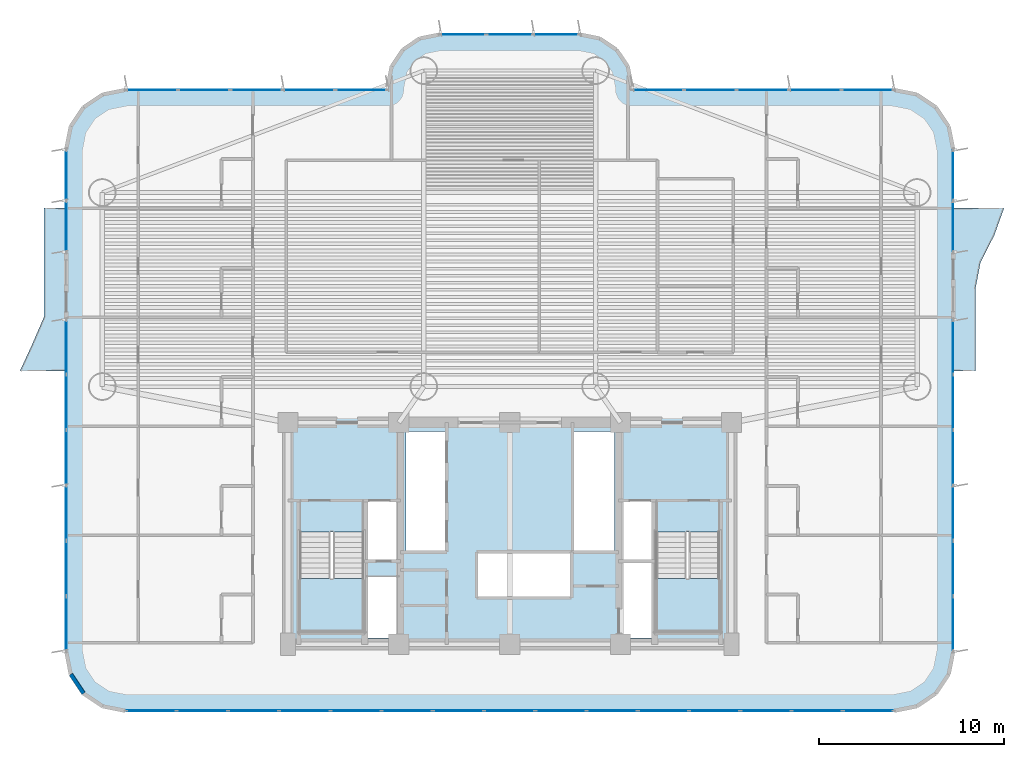
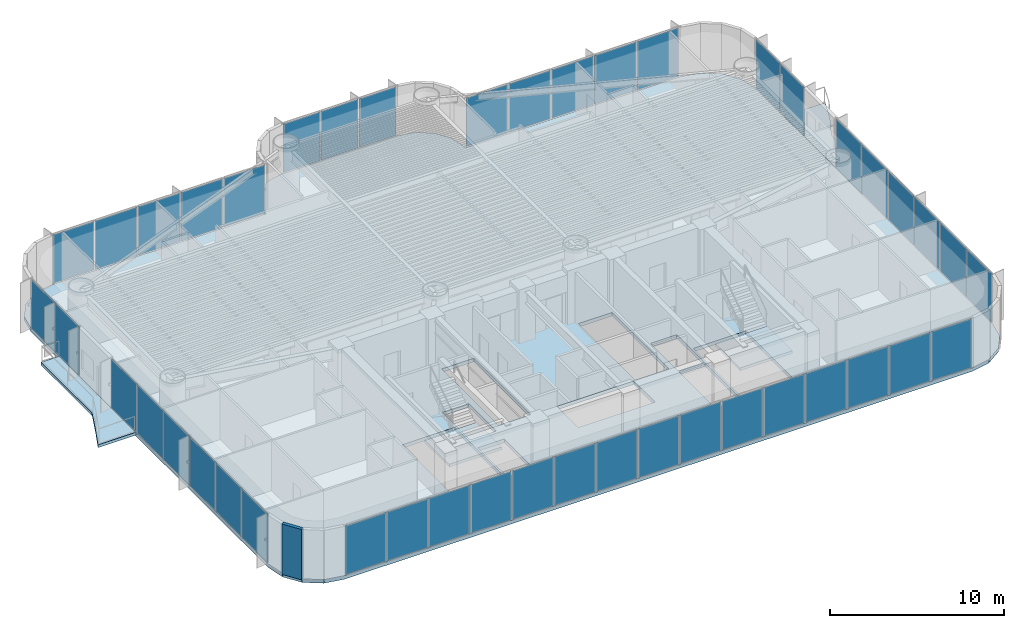
# One storey, part 9 of 18: 44 plates, 5 slabs, 1 wall, 10 elements without a shape of their own.
"""IFC4 building model written with IfcOpenShell, lengths in metres."""

from ifc_helpers import new_model, si_unit, direction, frame, frame_2d, origin, origin_2d, place, context, subcontext, project, spatial, polyline, rectangle, outline, extrude, source, transform, mapped, material, layer, layer_set, type_object, element, aggregate, save


model = new_model("IFC4")

# Units and contexts
model_context = context("Model", 3, precision=1e-05, world=origin(), true_north=direction((0.0, 1.0)))
body_context = subcontext(model_context, "Body", "Model", "MODEL_VIEW")
ifc_project = project(units=[si_unit("LENGTHUNIT", "METRE"), si_unit("AREAUNIT", "SQUARE_METRE"), si_unit("VOLUMEUNIT", "CUBIC_METRE"), si_unit("PLANEANGLEUNIT", "RADIAN"), si_unit("MASSUNIT", "GRAM", prefix="KILO")], contexts=[model_context])

# Site, building, storey
site_placement = place(None, origin())
site = spatial("IfcSite", under=ifc_project, at=site_placement, CompositionType="ELEMENT")
building_placement = place(site_placement, origin())
building = spatial("IfcBuilding", under=site, at=building_placement, Name="Brelvock Crest Care Tower", CompositionType="ELEMENT")
storey_placement = place(building_placement, frame((0.0, 0.0, 42.1201171875)))
storey = spatial("IfcBuildingStorey", under=building, at=storey_placement, Name="L10", CompositionType="ELEMENT", Elevation=42.1201171875)

# Slabs
ifc_material_1 = material(Name="Concrete N50 (50 MPa)", Category="concrete")
ifc_layer_1 = layer(ifc_material_1, 0.25, Name="SLB-FL3")
ifc_layer_set_1 = layer_set([ifc_layer_1], Name="Concrete N50 (50 MPa)")
slab_type_1 = type_object("IfcSlabType", Name="SLB-FL3", PredefinedType="FLOOR", material=ifc_layer_set_1)
slab_1_placement = place(storey_placement, frame((0.0, 0.0, -0.25)))
element("IfcSlab", 1, at=slab_1_placement, inside=storey, type_object=slab_type_1, Name="L10 Main Structural Slab", PredefinedType="FLOOR", context=body_context, shape_type="SweptSolid", body=[
    extrude(outline(polyline([(56.800048828125, 36.0), (42.60009765625, 36.0), (42.60009765625, 36.199951171875), (42.386962890625, 37.271484375), (41.77978515625, 38.179931640625), (40.87158203125, 38.786865234375), (39.800048828125, 39.0), (32.199951171875, 39.0), (31.12841796875, 38.786865234375), (30.22021484375, 38.179931640625), (29.613037109375, 37.271484375), (29.39990234375, 36.199951171875), (29.39990234375, 36.0), (15.199951171875, 36.0), (13.975341796875, 35.75634765625), (12.937255859375, 35.062744140625), (12.24365234375, 34.024658203125), (12.0, 32.800048828125), (12.0, 5.60009765625), (12.24365234375, 4.37548828125), (12.937255859375, 3.33740234375), (13.975341796875, 2.6435546875), (15.199951171875, 2.39990234375), (56.800048828125, 2.39990234375), (58.024658203125, 2.6435546875), (59.062744140625, 3.33740234375), (59.75634765625, 4.37548828125), (60.0, 5.60009765625), (60.0, 32.800048828125), (59.75634765625, 34.024658203125), (59.062744140625, 35.062744140625), (58.024658203125, 35.75634765625), (56.800048828125, 36.0)]), holes=[polyline([(28.239990234375, 10.580078125), (29.97998046875, 10.580078125), (29.97998046875, 13.739990234375), (28.239990234375, 13.739990234375), (28.239990234375, 10.580078125)]), polyline([(42.02001953125, 10.580078125), (43.760009765625, 10.580078125), (43.760009765625, 13.739990234375), (42.02001953125, 13.739990234375), (42.02001953125, 10.580078125)]), polyline([(28.239990234375, 6.340087890625), (29.97998046875, 6.340087890625), (29.97998046875, 9.64990234375), (28.239990234375, 9.64990234375), (28.239990234375, 6.340087890625)]), polyline([(24.6298828125, 12.080078125), (24.6298828125, 6.699951171875), (28.110107421875, 6.699951171875), (28.110107421875, 12.080078125), (24.6298828125, 12.080078125)]), polyline([(43.889892578125, 12.080078125), (43.889892578125, 6.699951171875), (47.3701171875, 6.699951171875), (47.3701171875, 12.080078125), (43.889892578125, 12.080078125)]), polyline([(42.02001953125, 6.340087890625), (43.760009765625, 6.340087890625), (43.760009765625, 10.5), (42.02001953125, 10.5), (42.02001953125, 6.340087890625)]), polyline([(30.3798828125, 11.030029296875), (32.52001953125, 11.030029296875), (32.52001953125, 17.52001953125), (30.3798828125, 17.52001953125), (30.3798828125, 11.030029296875)]), polyline([(34.22998046875, 8.530029296875), (39.320068359375, 8.530029296875), (39.320068359375, 10.969970703125), (34.22998046875, 10.969970703125), (34.22998046875, 8.530029296875)]), polyline([(39.429931640625, 11.030029296875), (41.669921875, 11.030029296875), (41.669921875, 17.52001953125), (39.429931640625, 17.52001953125), (39.429931640625, 11.030029296875)])]), origin(), (0.0, 0.0, 1.0), 0.25),
])
ifc_layer_2 = layer(ifc_material_1, 0.199951171875, Name="SLB-WB2")
ifc_layer_set_2 = layer_set([ifc_layer_2], Name="Concrete N50 (50 MPa)")
slab_type_2 = type_object("IfcSlabType", Name="SLB-WB2", PredefinedType="FLOOR", material=ifc_layer_set_2)
slab_2_placement = place(storey_placement, frame((0.0, 0.0, -0.2001953125)))
element("IfcSlab", 2, at=slab_2_placement, inside=storey, type_object=slab_type_2, Name="L10 W Sinusoidal Wave Balcony Slab", PredefinedType="FLOOR", context=body_context, shape_type="SweptSolid", body=[
    extrude(outline(polyline([(12.0, 29.60009765625), (10.800048828125, 29.60009765625), (10.800048828125, 28.13330078125), (10.800048828125, 26.666748046875), (10.800048828125, 25.199951171875), (10.800048828125, 23.7333984375), (10.169189453125, 22.2666015625), (9.495361328125, 20.800048828125), (12.0, 20.800048828125), (12.0, 29.60009765625)])), origin(), (0.0, 0.0, 1.0), 0.2001953125),
])
slab_3_placement = place(storey_placement, frame((0.0, 0.0, -0.2001953125)))
element("IfcSlab", 3, at=slab_3_placement, inside=storey, type_object=slab_type_2, Name="L10 E Sinusoidal Wave Balcony Slab", PredefinedType="FLOOR", context=body_context, shape_type="SweptSolid", body=[
    extrude(outline(polyline([(60.0, 20.800048828125), (61.199951171875, 20.800048828125), (61.199951171875, 22.2666015625), (61.199951171875, 23.7333984375), (61.199951171875, 25.199951171875), (61.479248046875, 26.666748046875), (62.22509765625, 28.13330078125), (62.7529296875, 29.60009765625), (60.0, 29.60009765625), (60.0, 20.800048828125)])), origin(), (0.0, 0.0, 1.0), 0.2001953125),
])

# Stair, slab
ifc_material_2 = material(Name="Concrete N40 (40 MPa)", Category="concrete")
stair_type = type_object("IfcStairType", Name="ST-CORE1", PredefinedType="HALF_TURN_STAIR", material=ifc_material_2)
stair_1_placement = place(storey_placement, origin())
stair_1 = element("IfcStair", 4, at=stair_1_placement, inside=storey, type_object=stair_type, Name="L10 Fire-Isolated Core Stair ST-1", PredefinedType="HALF_TURN_STAIR")
ifc_layer_3 = layer(ifc_material_2, 0.199951171875, Name="STL-1")
ifc_layer_set_3 = layer_set([ifc_layer_3], Name="Concrete N40 (40 MPa)")
slab_type_3 = type_object("IfcSlabType", Name="STL-1", PredefinedType="LANDING", material=ifc_layer_set_3)
slab_4_placement = place(storey_placement, frame((0.0, 0.0, 1.68994140625)))
slab_4 = element("IfcSlab", 5, at=slab_4_placement, type_object=slab_type_3, Name="ST-1 landing 1", PredefinedType="LANDING", context=body_context, shape_type="SweptSolid", body=[
    extrude(outline(polyline([(24.6298828125, 9.56005859375), (24.6298828125, 6.699951171875), (28.110107421875, 6.699951171875), (28.110107421875, 9.56005859375), (24.6298828125, 9.56005859375)])), origin(), (0.0, 0.0, 1.0), 0.199951171875),
])
aggregate(stair_1, [slab_4])

stair_2_placement = place(storey_placement, origin())
stair_2 = element("IfcStair", 6, at=stair_2_placement, inside=storey, type_object=stair_type, Name="L10 Fire-Isolated Core Stair ST-2", PredefinedType="HALF_TURN_STAIR")
slab_5_placement = place(storey_placement, frame((0.0, 0.0, 1.68994140625)))
slab_5 = element("IfcSlab", 7, at=slab_5_placement, type_object=slab_type_3, Name="ST-2 landing 1", PredefinedType="LANDING", context=body_context, shape_type="SweptSolid", body=[
    extrude(outline(polyline([(43.889892578125, 9.56005859375), (43.889892578125, 6.699951171875), (47.3701171875, 6.699951171875), (47.3701171875, 9.56005859375), (43.889892578125, 9.56005859375)])), origin(), (0.0, 0.0, 1.0), 0.199951171875),
])
aggregate(stair_2, [slab_5])

# Curtain wall, plates
ifc_material_3 = material(Name="Dark Glass Double Glazed Low-E", Category="glass")
ifc_layer_4 = layer(ifc_material_3, 0.195068359375, Name="CWS-2")
ifc_layer_set_4 = layer_set([ifc_layer_4], Name="Dark Glass Double Glazed Low-E")
curtain_wall_type = type_object("IfcCurtainWallType", Name="CWS-2", PredefinedType="NOTDEFINED", material=ifc_layer_set_4)
curtain_wall_1_placement = place(storey_placement, origin())
curtain_wall_1 = element("IfcCurtainWall", 8, at=curtain_wall_1_placement, inside=storey, type_object=curtain_wall_type, Name="L10 Curtain Wall E08", PredefinedType="NOTDEFINED")
ifc_layer_5 = layer(ifc_material_3, 0.031982421875, Name="CWP-V1")
ifc_layer_set_5 = layer_set([ifc_layer_5], Name="Dark Glass Double Glazed Low-E")
plate_type = type_object("IfcPlateType", Name="CWP-V1", PredefinedType="CURTAIN_PANEL", material=ifc_layer_set_5)
shared_shape_1 = source(origin(), body_context, "Body", "SweptSolid", [
    extrude(rectangle(XDim=2.67578125, YDim=0.035888671875, at=origin_2d()), origin(), (0.0, 0.0, 1.0), 3.39990234375),
])
plate_1_placement = place(storey_placement, frame((55.39697265625, 2.39990234375, 0.06494140625), z_axis=(0.0, 0.0, 1.0), x_axis=(-1.0, 0.0, 0.0)))
plate_1 = element("IfcPlate", 9, at=plate_1_placement, type_object=plate_type, Name="CW-2 panel 1.1", PredefinedType="CURTAIN_PANEL", context=body_context, shape_type="MappedRepresentation", body=[
    mapped(shared_shape_1, transform((0.0, 0.0, 0.0), x_axis=(1.0, 0.0, 0.0), y_axis=(0.0, 1.0, 0.0), z_axis=(0.0, 0.0, 1.0), scale=1.0)),
])
plate_2_placement = place(storey_placement, frame((16.60302734375, 2.39990234375, 0.06494140625), z_axis=(0.0, 0.0, 1.0), x_axis=(-1.0, 0.0, 0.0)))
plate_2 = element("IfcPlate", 10, at=plate_2_placement, type_object=plate_type, Name="CW-2 panel 15.1", PredefinedType="CURTAIN_PANEL", context=body_context, shape_type="MappedRepresentation", body=[
    mapped(shared_shape_1, transform((0.0, 0.0, 0.0), x_axis=(1.0, 0.0, 0.0), y_axis=(0.0, 1.0, 0.0), z_axis=(0.0, 0.0, 1.0), scale=1.0)),
])
shared_shape_2 = source(origin(), body_context, "Body", "SweptSolid", [
    extrude(rectangle(XDim=2.708251953125, YDim=0.035888671875, at=origin_2d()), origin(), (0.0, 0.0, 1.0), 3.39990234375),
])
plate_3_placement = place(storey_placement, frame((52.639892578125, 2.39990234375, 0.06494140625), z_axis=(0.0, 0.0, 1.0), x_axis=(-1.0, 0.0, 0.0)))
plate_3 = element("IfcPlate", 11, at=plate_3_placement, type_object=plate_type, Name="CW-2 panel 2.1", PredefinedType="CURTAIN_PANEL", context=body_context, shape_type="MappedRepresentation", body=[
    mapped(shared_shape_2, transform((0.0, 0.0, 0.0), x_axis=(1.0, 0.0, 0.0), y_axis=(0.0, 1.0, 0.0), z_axis=(0.0, 0.0, 1.0), scale=1.0)),
])
plate_4_placement = place(storey_placement, frame((49.86669921875, 2.39990234375, 0.06494140625), z_axis=(0.0, 0.0, 1.0), x_axis=(-1.0, 0.0, 0.0)))
plate_4 = element("IfcPlate", 12, at=plate_4_placement, type_object=plate_type, Name="CW-2 panel 3.1", PredefinedType="CURTAIN_PANEL", context=body_context, shape_type="MappedRepresentation", body=[
    mapped(shared_shape_2, transform((0.0, 0.0, 0.0), x_axis=(1.0, 0.0, 0.0), y_axis=(0.0, 1.0, 0.0), z_axis=(0.0, 0.0, 1.0), scale=1.0)),
])
plate_5_placement = place(storey_placement, frame((47.09326171875, 2.39990234375, 0.06494140625), z_axis=(0.0, 0.0, 1.0), x_axis=(-1.0, 0.0, 0.0)))
plate_5 = element("IfcPlate", 13, at=plate_5_placement, type_object=plate_type, Name="CW-2 panel 4.1", PredefinedType="CURTAIN_PANEL", context=body_context, shape_type="MappedRepresentation", body=[
    mapped(shared_shape_2, transform((0.0, 0.0, 0.0), x_axis=(1.0, 0.0, 0.0), y_axis=(0.0, 1.0, 0.0), z_axis=(0.0, 0.0, 1.0), scale=1.0)),
])
plate_6_placement = place(storey_placement, frame((44.320068359375, 2.39990234375, 0.06494140625), z_axis=(0.0, 0.0, 1.0), x_axis=(-1.0, 0.0, 0.0)))
plate_6 = element("IfcPlate", 14, at=plate_6_placement, type_object=plate_type, Name="CW-2 panel 5.1", PredefinedType="CURTAIN_PANEL", context=body_context, shape_type="MappedRepresentation", body=[
    mapped(shared_shape_2, transform((0.0, 0.0, 0.0), x_axis=(1.0, 0.0, 0.0), y_axis=(0.0, 1.0, 0.0), z_axis=(0.0, 0.0, 1.0), scale=1.0)),
])
plate_7_placement = place(storey_placement, frame((41.546630859375, 2.39990234375, 0.06494140625), z_axis=(0.0, 0.0, 1.0), x_axis=(-1.0, 0.0, 0.0)))
plate_7 = element("IfcPlate", 15, at=plate_7_placement, type_object=plate_type, Name="CW-2 panel 6.1", PredefinedType="CURTAIN_PANEL", context=body_context, shape_type="MappedRepresentation", body=[
    mapped(shared_shape_2, transform((0.0, 0.0, 0.0), x_axis=(1.0, 0.0, 0.0), y_axis=(0.0, 1.0, 0.0), z_axis=(0.0, 0.0, 1.0), scale=1.0)),
])
plate_8_placement = place(storey_placement, frame((38.7734375, 2.39990234375, 0.06494140625), z_axis=(0.0, 0.0, 1.0), x_axis=(-1.0, 0.0, 0.0)))
plate_8 = element("IfcPlate", 16, at=plate_8_placement, type_object=plate_type, Name="CW-2 panel 7.1", PredefinedType="CURTAIN_PANEL", context=body_context, shape_type="MappedRepresentation", body=[
    mapped(shared_shape_2, transform((0.0, 0.0, 0.0), x_axis=(1.0, 0.0, 0.0), y_axis=(0.0, 1.0, 0.0), z_axis=(0.0, 0.0, 1.0), scale=1.0)),
])
plate_9_placement = place(storey_placement, frame((36.0, 2.39990234375, 0.06494140625), z_axis=(0.0, 0.0, 1.0), x_axis=(-1.0, 0.0, 0.0)))
plate_9 = element("IfcPlate", 17, at=plate_9_placement, type_object=plate_type, Name="CW-2 panel 8.1", PredefinedType="CURTAIN_PANEL", context=body_context, shape_type="MappedRepresentation", body=[
    mapped(shared_shape_2, transform((0.0, 0.0, 0.0), x_axis=(1.0, 0.0, 0.0), y_axis=(0.0, 1.0, 0.0), z_axis=(0.0, 0.0, 1.0), scale=1.0)),
])
plate_10_placement = place(storey_placement, frame((33.2265625, 2.39990234375, 0.06494140625), z_axis=(0.0, 0.0, 1.0), x_axis=(-1.0, 0.0, 0.0)))
plate_10 = element("IfcPlate", 18, at=plate_10_placement, type_object=plate_type, Name="CW-2 panel 9.1", PredefinedType="CURTAIN_PANEL", context=body_context, shape_type="MappedRepresentation", body=[
    mapped(shared_shape_2, transform((0.0, 0.0, 0.0), x_axis=(1.0, 0.0, 0.0), y_axis=(0.0, 1.0, 0.0), z_axis=(0.0, 0.0, 1.0), scale=1.0)),
])
plate_11_placement = place(storey_placement, frame((30.453369140625, 2.39990234375, 0.06494140625), z_axis=(0.0, 0.0, 1.0), x_axis=(-1.0, 0.0, 0.0)))
plate_11 = element("IfcPlate", 19, at=plate_11_placement, type_object=plate_type, Name="CW-2 panel 10.1", PredefinedType="CURTAIN_PANEL", context=body_context, shape_type="MappedRepresentation", body=[
    mapped(shared_shape_2, transform((0.0, 0.0, 0.0), x_axis=(1.0, 0.0, 0.0), y_axis=(0.0, 1.0, 0.0), z_axis=(0.0, 0.0, 1.0), scale=1.0)),
])
plate_12_placement = place(storey_placement, frame((27.679931640625, 2.39990234375, 0.06494140625), z_axis=(0.0, 0.0, 1.0), x_axis=(-1.0, 0.0, 0.0)))
plate_12 = element("IfcPlate", 20, at=plate_12_placement, type_object=plate_type, Name="CW-2 panel 11.1", PredefinedType="CURTAIN_PANEL", context=body_context, shape_type="MappedRepresentation", body=[
    mapped(shared_shape_2, transform((0.0, 0.0, 0.0), x_axis=(1.0, 0.0, 0.0), y_axis=(0.0, 1.0, 0.0), z_axis=(0.0, 0.0, 1.0), scale=1.0)),
])
plate_13_placement = place(storey_placement, frame((24.90673828125, 2.39990234375, 0.06494140625), z_axis=(0.0, 0.0, 1.0), x_axis=(-1.0, 0.0, 0.0)))
plate_13 = element("IfcPlate", 21, at=plate_13_placement, type_object=plate_type, Name="CW-2 panel 12.1", PredefinedType="CURTAIN_PANEL", context=body_context, shape_type="MappedRepresentation", body=[
    mapped(shared_shape_2, transform((0.0, 0.0, 0.0), x_axis=(1.0, 0.0, 0.0), y_axis=(0.0, 1.0, 0.0), z_axis=(0.0, 0.0, 1.0), scale=1.0)),
])
plate_14_placement = place(storey_placement, frame((22.13330078125, 2.39990234375, 0.06494140625), z_axis=(0.0, 0.0, 1.0), x_axis=(-1.0, 0.0, 0.0)))
plate_14 = element("IfcPlate", 22, at=plate_14_placement, type_object=plate_type, Name="CW-2 panel 13.1", PredefinedType="CURTAIN_PANEL", context=body_context, shape_type="MappedRepresentation", body=[
    mapped(shared_shape_2, transform((0.0, 0.0, 0.0), x_axis=(1.0, 0.0, 0.0), y_axis=(0.0, 1.0, 0.0), z_axis=(0.0, 0.0, 1.0), scale=1.0)),
])
plate_15_placement = place(storey_placement, frame((19.360107421875, 2.39990234375, 0.06494140625), z_axis=(0.0, 0.0, 1.0), x_axis=(-1.0, 0.0, 0.0)))
plate_15 = element("IfcPlate", 23, at=plate_15_placement, type_object=plate_type, Name="CW-2 panel 14.1", PredefinedType="CURTAIN_PANEL", context=body_context, shape_type="MappedRepresentation", body=[
    mapped(shared_shape_2, transform((0.0, 0.0, 0.0), x_axis=(1.0, 0.0, 0.0), y_axis=(0.0, 1.0, 0.0), z_axis=(0.0, 0.0, 1.0), scale=1.0)),
])
aggregate(curtain_wall_1, [plate_1, plate_3, plate_4, plate_5, plate_6, plate_7, plate_8, plate_9, plate_10, plate_11, plate_12, plate_13, plate_14, plate_15, plate_2])

curtain_wall_2_placement = place(storey_placement, origin())
curtain_wall_2 = element("IfcCurtainWall", 24, at=curtain_wall_2_placement, inside=storey, type_object=curtain_wall_type, Name="L10 Curtain Wall E18", PredefinedType="NOTDEFINED")
shared_shape_3 = source(origin(), body_context, "Body", "SweptSolid", [
    extrude(rectangle(XDim=2.742431640625, YDim=0.035888671875, at=origin_2d()), origin(), (0.0, 0.0, 1.0), 3.39990234375),
])
plate_16_placement = place(storey_placement, frame((16.63623046875, 36.0, 0.06494140625), z_axis=(0.0, 0.0, 1.0), x_axis=(1.0, 0.0, 0.0)))
plate_16 = element("IfcPlate", 25, at=plate_16_placement, type_object=plate_type, Name="CW-2 panel 1.1", PredefinedType="CURTAIN_PANEL", context=body_context, shape_type="MappedRepresentation", body=[
    mapped(shared_shape_3, transform((0.0, 0.0, 0.0), x_axis=(1.0, 0.0, 0.0), y_axis=(0.0, 1.0, 0.0), z_axis=(0.0, 0.0, 1.0), scale=1.0)),
])
plate_17_placement = place(storey_placement, frame((27.9638671875, 36.0, 0.06494140625), z_axis=(0.0, 0.0, 1.0), x_axis=(1.0, 0.0, 0.0)))
plate_17 = element("IfcPlate", 26, at=plate_17_placement, type_object=plate_type, Name="CW-2 panel 5.1", PredefinedType="CURTAIN_PANEL", context=body_context, shape_type="MappedRepresentation", body=[
    mapped(shared_shape_3, transform((0.0, 0.0, 0.0), x_axis=(1.0, 0.0, 0.0), y_axis=(0.0, 1.0, 0.0), z_axis=(0.0, 0.0, 1.0), scale=1.0)),
])

curtain_wall_3_placement = place(storey_placement, origin())
curtain_wall_3 = element("IfcCurtainWall", 27, at=curtain_wall_3_placement, inside=storey, type_object=curtain_wall_type, Name="L10 Curtain Wall E30", PredefinedType="NOTDEFINED")
plate_18_placement = place(storey_placement, frame((44.0361328125, 36.0, 0.06494140625), z_axis=(0.0, 0.0, 1.0), x_axis=(1.0, 0.0, 0.0)))
plate_18 = element("IfcPlate", 28, at=plate_18_placement, type_object=plate_type, Name="CW-2 panel 1.1", PredefinedType="CURTAIN_PANEL", context=body_context, shape_type="MappedRepresentation", body=[
    mapped(shared_shape_3, transform((0.0, 0.0, 0.0), x_axis=(1.0, 0.0, 0.0), y_axis=(0.0, 1.0, 0.0), z_axis=(0.0, 0.0, 1.0), scale=1.0)),
])
plate_19_placement = place(storey_placement, frame((55.36376953125, 36.0, 0.06494140625), z_axis=(0.0, 0.0, 1.0), x_axis=(1.0, 0.0, 0.0)))
plate_19 = element("IfcPlate", 29, at=plate_19_placement, type_object=plate_type, Name="CW-2 panel 5.1", PredefinedType="CURTAIN_PANEL", context=body_context, shape_type="MappedRepresentation", body=[
    mapped(shared_shape_3, transform((0.0, 0.0, 0.0), x_axis=(1.0, 0.0, 0.0), y_axis=(0.0, 1.0, 0.0), z_axis=(0.0, 0.0, 1.0), scale=1.0)),
])

# Plate
shared_shape_4 = source(origin(), body_context, "Body", "SweptSolid", [
    extrude(rectangle(XDim=2.77490234375, YDim=0.035888671875, at=origin_2d()), origin(), (0.0, 0.0, 1.0), 3.39990234375),
])
plate_20_placement = place(storey_placement, frame((19.4599609375, 36.0, 0.06494140625), z_axis=(0.0, 0.0, 1.0), x_axis=(1.0, 0.0, 0.0)))
plate_20 = element("IfcPlate", 30, at=plate_20_placement, type_object=plate_type, Name="CW-2 panel 2.1", PredefinedType="CURTAIN_PANEL", context=body_context, shape_type="MappedRepresentation", body=[
    mapped(shared_shape_4, transform((0.0, 0.0, 0.0), x_axis=(1.0, 0.0, 0.0), y_axis=(0.0, 1.0, 0.0), z_axis=(0.0, 0.0, 1.0), scale=1.0)),
])

plate_21_placement = place(storey_placement, frame((22.300048828125, 36.0, 0.06494140625), z_axis=(0.0, 0.0, 1.0), x_axis=(1.0, 0.0, 0.0)))
plate_21 = element("IfcPlate", 31, at=plate_21_placement, type_object=plate_type, Name="CW-2 panel 3.1", PredefinedType="CURTAIN_PANEL", context=body_context, shape_type="MappedRepresentation", body=[
    mapped(shared_shape_4, transform((0.0, 0.0, 0.0), x_axis=(1.0, 0.0, 0.0), y_axis=(0.0, 1.0, 0.0), z_axis=(0.0, 0.0, 1.0), scale=1.0)),
])

plate_22_placement = place(storey_placement, frame((25.139892578125, 36.0, 0.06494140625), z_axis=(0.0, 0.0, 1.0), x_axis=(1.0, 0.0, 0.0)))
plate_22 = element("IfcPlate", 32, at=plate_22_placement, type_object=plate_type, Name="CW-2 panel 4.1", PredefinedType="CURTAIN_PANEL", context=body_context, shape_type="MappedRepresentation", body=[
    mapped(shared_shape_4, transform((0.0, 0.0, 0.0), x_axis=(1.0, 0.0, 0.0), y_axis=(0.0, 1.0, 0.0), z_axis=(0.0, 0.0, 1.0), scale=1.0)),
])

aggregate(curtain_wall_2, [plate_16, plate_20, plate_21, plate_22, plate_17])

plate_23_placement = place(storey_placement, frame((46.860107421875, 36.0, 0.06494140625), z_axis=(0.0, 0.0, 1.0), x_axis=(1.0, 0.0, 0.0)))
plate_23 = element("IfcPlate", 33, at=plate_23_placement, type_object=plate_type, Name="CW-2 panel 2.1", PredefinedType="CURTAIN_PANEL", context=body_context, shape_type="MappedRepresentation", body=[
    mapped(shared_shape_4, transform((0.0, 0.0, 0.0), x_axis=(1.0, 0.0, 0.0), y_axis=(0.0, 1.0, 0.0), z_axis=(0.0, 0.0, 1.0), scale=1.0)),
])

plate_24_placement = place(storey_placement, frame((49.699951171875, 36.0, 0.06494140625), z_axis=(0.0, 0.0, 1.0), x_axis=(1.0, 0.0, 0.0)))
plate_24 = element("IfcPlate", 34, at=plate_24_placement, type_object=plate_type, Name="CW-2 panel 3.1", PredefinedType="CURTAIN_PANEL", context=body_context, shape_type="MappedRepresentation", body=[
    mapped(shared_shape_4, transform((0.0, 0.0, 0.0), x_axis=(1.0, 0.0, 0.0), y_axis=(0.0, 1.0, 0.0), z_axis=(0.0, 0.0, 1.0), scale=1.0)),
])

plate_25_placement = place(storey_placement, frame((52.5400390625, 36.0, 0.06494140625), z_axis=(0.0, 0.0, 1.0), x_axis=(1.0, 0.0, 0.0)))
plate_25 = element("IfcPlate", 35, at=plate_25_placement, type_object=plate_type, Name="CW-2 panel 4.1", PredefinedType="CURTAIN_PANEL", context=body_context, shape_type="MappedRepresentation", body=[
    mapped(shared_shape_4, transform((0.0, 0.0, 0.0), x_axis=(1.0, 0.0, 0.0), y_axis=(0.0, 1.0, 0.0), z_axis=(0.0, 0.0, 1.0), scale=1.0)),
])

aggregate(curtain_wall_3, [plate_18, plate_23, plate_24, plate_25, plate_19])

# Curtain wall, plates
curtain_wall_4_placement = place(storey_placement, origin())
curtain_wall_4 = element("IfcCurtainWall", 36, at=curtain_wall_4_placement, inside=storey, type_object=curtain_wall_type, Name="L10 Curtain Wall E24", PredefinedType="NOTDEFINED")
shared_shape_5 = source(origin(), body_context, "Body", "SweptSolid", [
    extrude(rectangle(XDim=2.435791015625, YDim=0.035888671875, at=origin_2d()), origin(), (0.0, 0.0, 1.0), 3.39990234375),
])
plate_26_placement = place(storey_placement, frame((33.48291015625, 39.0, 0.06494140625), z_axis=(0.0, 0.0, 1.0), x_axis=(1.0, 0.0, 0.0)))
plate_26 = element("IfcPlate", 37, at=plate_26_placement, type_object=plate_type, Name="CW-2 panel 1.1", PredefinedType="CURTAIN_PANEL", context=body_context, shape_type="MappedRepresentation", body=[
    mapped(shared_shape_5, transform((0.0, 0.0, 0.0), x_axis=(1.0, 0.0, 0.0), y_axis=(0.0, 1.0, 0.0), z_axis=(0.0, 0.0, 1.0), scale=1.0)),
])
plate_27_placement = place(storey_placement, frame((38.51708984375, 39.0, 0.06494140625), z_axis=(0.0, 0.0, 1.0), x_axis=(1.0, 0.0, 0.0)))
plate_27 = element("IfcPlate", 38, at=plate_27_placement, type_object=plate_type, Name="CW-2 panel 3.1", PredefinedType="CURTAIN_PANEL", context=body_context, shape_type="MappedRepresentation", body=[
    mapped(shared_shape_5, transform((0.0, 0.0, 0.0), x_axis=(1.0, 0.0, 0.0), y_axis=(0.0, 1.0, 0.0), z_axis=(0.0, 0.0, 1.0), scale=1.0)),
])
shared_shape_6 = source(origin(), body_context, "Body", "SweptSolid", [
    extrude(rectangle(XDim=2.46826171875, YDim=0.035888671875, at=origin_2d()), origin(), (0.0, 0.0, 1.0), 3.39990234375),
])
plate_28_placement = place(storey_placement, frame((36.0, 39.0, 0.06494140625), z_axis=(0.0, 0.0, 1.0), x_axis=(1.0, 0.0, 0.0)))
plate_28 = element("IfcPlate", 39, at=plate_28_placement, type_object=plate_type, Name="CW-2 panel 2.1", PredefinedType="CURTAIN_PANEL", context=body_context, shape_type="MappedRepresentation", body=[
    mapped(shared_shape_6, transform((0.0, 0.0, 0.0), x_axis=(1.0, 0.0, 0.0), y_axis=(0.0, 1.0, 0.0), z_axis=(0.0, 0.0, 1.0), scale=1.0)),
])
aggregate(curtain_wall_4, [plate_26, plate_28, plate_27])

curtain_wall_5_placement = place(storey_placement, origin())
curtain_wall_5 = element("IfcCurtainWall", 40, at=curtain_wall_5_placement, inside=storey, type_object=curtain_wall_type, Name="L10 Curtain Wall E03A", PredefinedType="NOTDEFINED")
shared_shape_7 = source(origin(), body_context, "Body", "SweptSolid", [
    extrude(rectangle(XDim=2.702392578125, YDim=0.035888671875, at=origin_2d()), origin(), (0.0, 0.0, 1.0), 3.39990234375),
])
plate_29_placement = place(storey_placement, frame((60.0, 31.3837890625, 0.06494140625), z_axis=(0.0, 0.0, 1.0), x_axis=(0.0, -1.0, 0.0)))
plate_29 = element("IfcPlate", 41, at=plate_29_placement, type_object=plate_type, Name="CW-2 panel 1.1", PredefinedType="CURTAIN_PANEL", context=body_context, shape_type="MappedRepresentation", body=[
    mapped(shared_shape_7, transform((0.0, 0.0, 0.0), x_axis=(1.0, 0.0, 0.0), y_axis=(0.0, 1.0, 0.0), z_axis=(0.0, 0.0, 1.0), scale=1.0)),
])
plate_30_placement = place(storey_placement, frame((60.0, 28.6162109375, 0.06494140625), z_axis=(0.0, 0.0, 1.0), x_axis=(0.0, -1.0, 0.0)))
plate_30 = element("IfcPlate", 42, at=plate_30_placement, type_object=plate_type, Name="CW-2 panel 2.1", PredefinedType="CURTAIN_PANEL", context=body_context, shape_type="MappedRepresentation", body=[
    mapped(shared_shape_7, transform((0.0, 0.0, 0.0), x_axis=(1.0, 0.0, 0.0), y_axis=(0.0, 1.0, 0.0), z_axis=(0.0, 0.0, 1.0), scale=1.0)),
])
aggregate(curtain_wall_5, [plate_29, plate_30])

curtain_wall_6_placement = place(storey_placement, origin())
curtain_wall_6 = element("IfcCurtainWall", 43, at=curtain_wall_6_placement, inside=storey, type_object=curtain_wall_type, Name="L10 Curtain Wall E13B", PredefinedType="NOTDEFINED")
plate_31_placement = place(storey_placement, frame((12.0, 28.6162109375, 0.06494140625), z_axis=(0.0, 0.0, 1.0), x_axis=(0.0, 1.0, 0.0)))
plate_31 = element("IfcPlate", 44, at=plate_31_placement, type_object=plate_type, Name="CW-2 panel 1.1", PredefinedType="CURTAIN_PANEL", context=body_context, shape_type="MappedRepresentation", body=[
    mapped(shared_shape_7, transform((0.0, 0.0, 0.0), x_axis=(1.0, 0.0, 0.0), y_axis=(0.0, 1.0, 0.0), z_axis=(0.0, 0.0, 1.0), scale=1.0)),
])
plate_32_placement = place(storey_placement, frame((12.0, 31.3837890625, 0.06494140625), z_axis=(0.0, 0.0, 1.0), x_axis=(0.0, 1.0, 0.0)))
plate_32 = element("IfcPlate", 45, at=plate_32_placement, type_object=plate_type, Name="CW-2 panel 2.1", PredefinedType="CURTAIN_PANEL", context=body_context, shape_type="MappedRepresentation", body=[
    mapped(shared_shape_7, transform((0.0, 0.0, 0.0), x_axis=(1.0, 0.0, 0.0), y_axis=(0.0, 1.0, 0.0), z_axis=(0.0, 0.0, 1.0), scale=1.0)),
])
aggregate(curtain_wall_6, [plate_31, plate_32])

curtain_wall_7_placement = place(storey_placement, origin())
curtain_wall_7 = element("IfcCurtainWall", 46, at=curtain_wall_7_placement, inside=storey, type_object=curtain_wall_type, Name="L10 Curtain Wall E03B", PredefinedType="NOTDEFINED")
shared_shape_8 = source(origin(), body_context, "Body", "SweptSolid", [
    extrude(rectangle(XDim=2.902587890625, YDim=0.035888671875, at=origin_2d()), origin(), (0.0, 0.0, 1.0), 3.39990234375),
])
plate_33_placement = place(storey_placement, frame((60.0, 22.083740234375, 0.06494140625), z_axis=(0.0, 0.0, 1.0), x_axis=(0.0, -1.0, 0.0)))
plate_33 = element("IfcPlate", 47, at=plate_33_placement, type_object=plate_type, Name="CW-2 panel 1.1", PredefinedType="CURTAIN_PANEL", context=body_context, shape_type="MappedRepresentation", body=[
    mapped(shared_shape_8, transform((0.0, 0.0, 0.0), x_axis=(1.0, 0.0, 0.0), y_axis=(0.0, 1.0, 0.0), z_axis=(0.0, 0.0, 1.0), scale=1.0)),
])
plate_34_placement = place(storey_placement, frame((60.0, 7.1162109375, 0.06494140625), z_axis=(0.0, 0.0, 1.0), x_axis=(0.0, -1.0, 0.0)))
plate_34 = element("IfcPlate", 48, at=plate_34_placement, type_object=plate_type, Name="CW-2 panel 6.1", PredefinedType="CURTAIN_PANEL", context=body_context, shape_type="MappedRepresentation", body=[
    mapped(shared_shape_8, transform((0.0, 0.0, 0.0), x_axis=(1.0, 0.0, 0.0), y_axis=(0.0, 1.0, 0.0), z_axis=(0.0, 0.0, 1.0), scale=1.0)),
])

curtain_wall_8_placement = place(storey_placement, origin())
curtain_wall_8 = element("IfcCurtainWall", 49, at=curtain_wall_8_placement, inside=storey, type_object=curtain_wall_type, Name="L10 Curtain Wall E13A", PredefinedType="NOTDEFINED")
plate_35_placement = place(storey_placement, frame((12.0, 7.1162109375, 0.06494140625), z_axis=(0.0, 0.0, 1.0), x_axis=(0.0, 1.0, 0.0)))
plate_35 = element("IfcPlate", 50, at=plate_35_placement, type_object=plate_type, Name="CW-2 panel 1.1", PredefinedType="CURTAIN_PANEL", context=body_context, shape_type="MappedRepresentation", body=[
    mapped(shared_shape_8, transform((0.0, 0.0, 0.0), x_axis=(1.0, 0.0, 0.0), y_axis=(0.0, 1.0, 0.0), z_axis=(0.0, 0.0, 1.0), scale=1.0)),
])
plate_36_placement = place(storey_placement, frame((12.0, 22.083740234375, 0.06494140625), z_axis=(0.0, 0.0, 1.0), x_axis=(0.0, 1.0, 0.0)))
plate_36 = element("IfcPlate", 51, at=plate_36_placement, type_object=plate_type, Name="CW-2 panel 6.1", PredefinedType="CURTAIN_PANEL", context=body_context, shape_type="MappedRepresentation", body=[
    mapped(shared_shape_8, transform((0.0, 0.0, 0.0), x_axis=(1.0, 0.0, 0.0), y_axis=(0.0, 1.0, 0.0), z_axis=(0.0, 0.0, 1.0), scale=1.0)),
])

# Plate
shared_shape_9 = source(origin(), body_context, "Body", "SweptSolid", [
    extrude(rectangle(XDim=2.93505859375, YDim=0.035888671875, at=origin_2d()), origin(), (0.0, 0.0, 1.0), 3.39990234375),
])
plate_37_placement = place(storey_placement, frame((60.0, 19.10009765625, 0.06494140625), z_axis=(0.0, 0.0, 1.0), x_axis=(0.0, -1.0, 0.0)))
plate_37 = element("IfcPlate", 52, at=plate_37_placement, type_object=plate_type, Name="CW-2 panel 2.1", PredefinedType="CURTAIN_PANEL", context=body_context, shape_type="MappedRepresentation", body=[
    mapped(shared_shape_9, transform((0.0, 0.0, 0.0), x_axis=(1.0, 0.0, 0.0), y_axis=(0.0, 1.0, 0.0), z_axis=(0.0, 0.0, 1.0), scale=1.0)),
])

plate_38_placement = place(storey_placement, frame((60.0, 16.10009765625, 0.06494140625), z_axis=(0.0, 0.0, 1.0), x_axis=(0.0, -1.0, 0.0)))
plate_38 = element("IfcPlate", 53, at=plate_38_placement, type_object=plate_type, Name="CW-2 panel 3.1", PredefinedType="CURTAIN_PANEL", context=body_context, shape_type="MappedRepresentation", body=[
    mapped(shared_shape_9, transform((0.0, 0.0, 0.0), x_axis=(1.0, 0.0, 0.0), y_axis=(0.0, 1.0, 0.0), z_axis=(0.0, 0.0, 1.0), scale=1.0)),
])

plate_39_placement = place(storey_placement, frame((60.0, 13.10009765625, 0.06494140625), z_axis=(0.0, 0.0, 1.0), x_axis=(0.0, -1.0, 0.0)))
plate_39 = element("IfcPlate", 54, at=plate_39_placement, type_object=plate_type, Name="CW-2 panel 4.1", PredefinedType="CURTAIN_PANEL", context=body_context, shape_type="MappedRepresentation", body=[
    mapped(shared_shape_9, transform((0.0, 0.0, 0.0), x_axis=(1.0, 0.0, 0.0), y_axis=(0.0, 1.0, 0.0), z_axis=(0.0, 0.0, 1.0), scale=1.0)),
])

plate_40_placement = place(storey_placement, frame((60.0, 10.10009765625, 0.06494140625), z_axis=(0.0, 0.0, 1.0), x_axis=(0.0, -1.0, 0.0)))
plate_40 = element("IfcPlate", 55, at=plate_40_placement, type_object=plate_type, Name="CW-2 panel 5.1", PredefinedType="CURTAIN_PANEL", context=body_context, shape_type="MappedRepresentation", body=[
    mapped(shared_shape_9, transform((0.0, 0.0, 0.0), x_axis=(1.0, 0.0, 0.0), y_axis=(0.0, 1.0, 0.0), z_axis=(0.0, 0.0, 1.0), scale=1.0)),
])

aggregate(curtain_wall_7, [plate_33, plate_37, plate_38, plate_39, plate_40, plate_34])

plate_41_placement = place(storey_placement, frame((12.0, 10.10009765625, 0.06494140625), z_axis=(0.0, 0.0, 1.0), x_axis=(0.0, 1.0, 0.0)))
plate_41 = element("IfcPlate", 56, at=plate_41_placement, type_object=plate_type, Name="CW-2 panel 2.1", PredefinedType="CURTAIN_PANEL", context=body_context, shape_type="MappedRepresentation", body=[
    mapped(shared_shape_9, transform((0.0, 0.0, 0.0), x_axis=(1.0, 0.0, 0.0), y_axis=(0.0, 1.0, 0.0), z_axis=(0.0, 0.0, 1.0), scale=1.0)),
])

plate_42_placement = place(storey_placement, frame((12.0, 13.10009765625, 0.06494140625), z_axis=(0.0, 0.0, 1.0), x_axis=(0.0, 1.0, 0.0)))
plate_42 = element("IfcPlate", 57, at=plate_42_placement, type_object=plate_type, Name="CW-2 panel 3.1", PredefinedType="CURTAIN_PANEL", context=body_context, shape_type="MappedRepresentation", body=[
    mapped(shared_shape_9, transform((0.0, 0.0, 0.0), x_axis=(1.0, 0.0, 0.0), y_axis=(0.0, 1.0, 0.0), z_axis=(0.0, 0.0, 1.0), scale=1.0)),
])

plate_43_placement = place(storey_placement, frame((12.0, 16.10009765625, 0.06494140625), z_axis=(0.0, 0.0, 1.0), x_axis=(0.0, 1.0, 0.0)))
plate_43 = element("IfcPlate", 58, at=plate_43_placement, type_object=plate_type, Name="CW-2 panel 4.1", PredefinedType="CURTAIN_PANEL", context=body_context, shape_type="MappedRepresentation", body=[
    mapped(shared_shape_9, transform((0.0, 0.0, 0.0), x_axis=(1.0, 0.0, 0.0), y_axis=(0.0, 1.0, 0.0), z_axis=(0.0, 0.0, 1.0), scale=1.0)),
])

plate_44_placement = place(storey_placement, frame((12.0, 19.10009765625, 0.06494140625), z_axis=(0.0, 0.0, 1.0), x_axis=(0.0, 1.0, 0.0)))
plate_44 = element("IfcPlate", 59, at=plate_44_placement, type_object=plate_type, Name="CW-2 panel 5.1", PredefinedType="CURTAIN_PANEL", context=body_context, shape_type="MappedRepresentation", body=[
    mapped(shared_shape_9, transform((0.0, 0.0, 0.0), x_axis=(1.0, 0.0, 0.0), y_axis=(0.0, 1.0, 0.0), z_axis=(0.0, 0.0, 1.0), scale=1.0)),
])

aggregate(curtain_wall_8, [plate_35, plate_41, plate_42, plate_43, plate_44, plate_36])

# Wall
ifc_material_4 = material(Name="Precast concrete N40 (40 MPa)", Category="concrete")
ifc_layer_6 = layer(ifc_material_4, 0.215087890625, Name="WL-EX2")
ifc_layer_set_6 = layer_set([ifc_layer_6], Name="Precast concrete N40 (40 MPa)")
wall_type = type_object("IfcWallType", Name="WL-EX2", PredefinedType="SOLIDWALL", material=ifc_layer_set_6)
wall_placement = place(storey_placement, frame((12.937255859375, 3.33740234375, 0.0), z_axis=(0.0, 0.0, 1.0), x_axis=(-0.555557312883, 0.831478245117, 0.0)))
element("IfcWall", 60, at=wall_placement, inside=storey, type_object=wall_type, Name="L10 Rounded Corner Wall 11", PredefinedType="SOLIDWALL", context=body_context, shape_type="SweptSolid", body=[
    extrude(rectangle(XDim=1.24853515625, YDim=0.215087890625, at=frame_2d((0.624267578125, 0.0))), origin(), (0.0, 0.0, 1.0), 3.52978515625),
])

save(model, "model.ifc")
